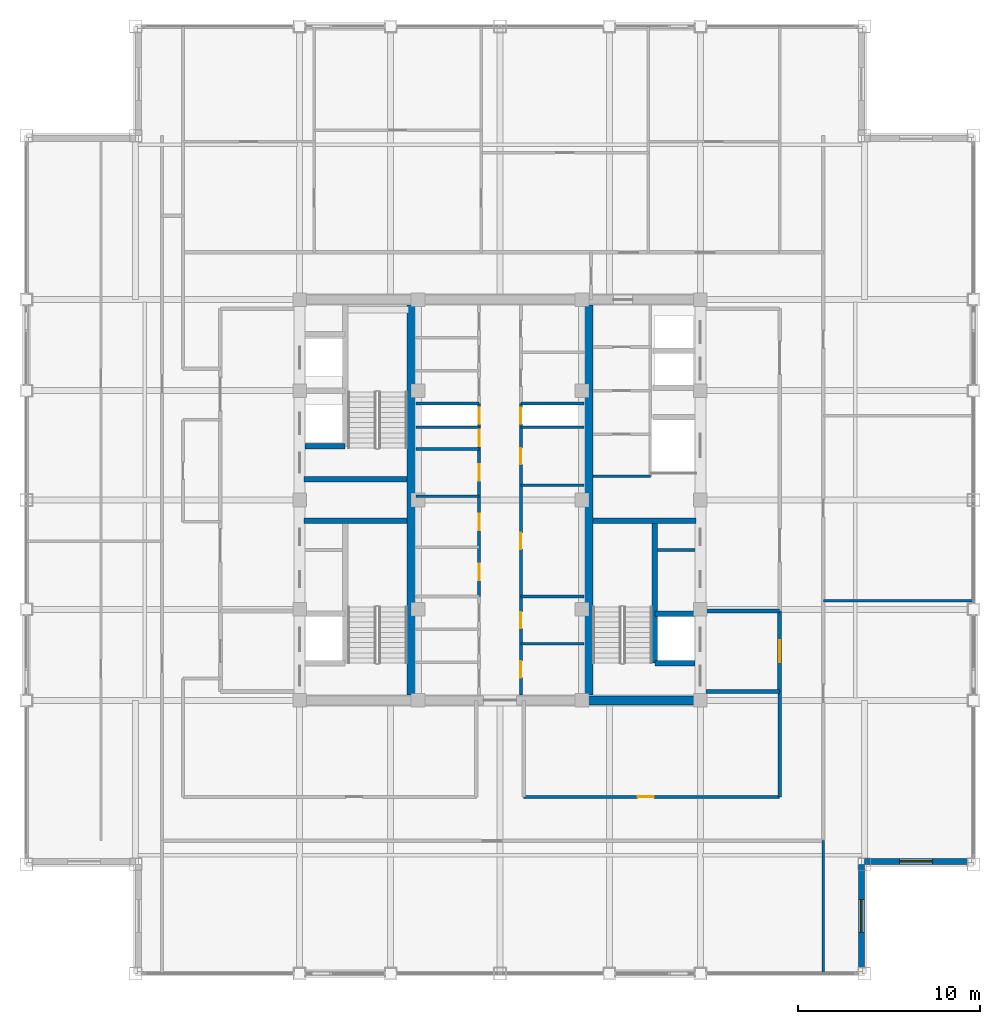
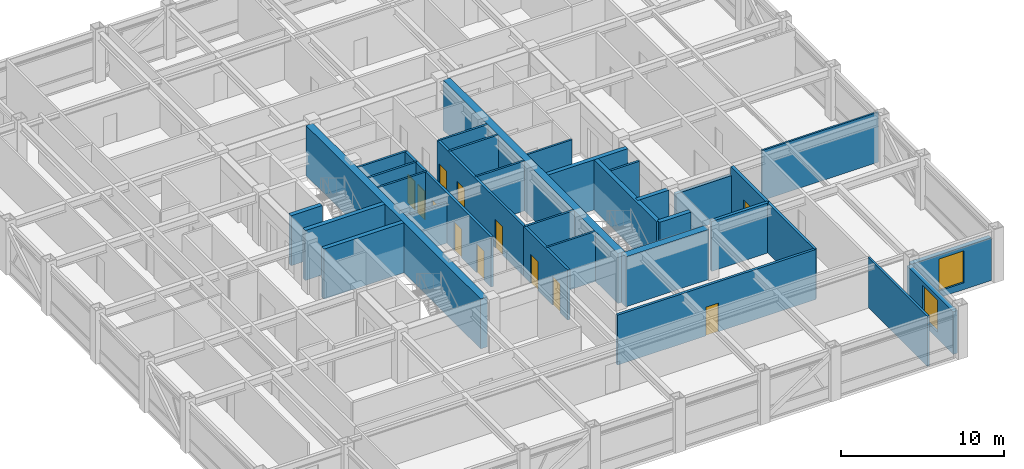
# One storey, part 25 of 29: 33 walls, 12 doors, 2 windows, 14 openings.
"""IFC4 building model written with IfcOpenShell, lengths in metres."""

from ifc_helpers import new_model, si_unit, direction, frame, frame_2d, origin, place, context, subcontext, project, spatial, rectangle, extrude, source, transform, mapped, material, layer, layer_set, type_object, element, fill, save


model = new_model("IFC4")

# Units and contexts
model_context = context("Model", 3, precision=1e-05, world=origin(), true_north=direction((0.0, 1.0)))
body_context = subcontext(model_context, "Body", "Model", "MODEL_VIEW")
ifc_project = project(units=[si_unit("LENGTHUNIT", "METRE"), si_unit("AREAUNIT", "SQUARE_METRE"), si_unit("VOLUMEUNIT", "CUBIC_METRE"), si_unit("PLANEANGLEUNIT", "RADIAN"), si_unit("MASSUNIT", "GRAM", prefix="KILO")], contexts=[model_context])

# Site, building, storey
site_placement = place(None, origin())
site = spatial("IfcSite", under=ifc_project, at=site_placement, CompositionType="ELEMENT")
building_placement = place(site_placement, origin())
building = spatial("IfcBuilding", under=site, at=building_placement, Name="Khorayat Bourse Tower", CompositionType="ELEMENT")
storey_placement = place(building_placement, frame((0.0, 0.0, 366.300048828125)))
storey = spatial("IfcBuildingStorey", under=building, at=storey_placement, Name="L87", CompositionType="ELEMENT", Elevation=366.300048828125)

# Walls
ifc_material_1 = material(Name="Concrete C52/65", Category="concrete")
ifc_layer_1 = layer(ifc_material_1, 0.5)
ifc_layer_set_1 = layer_set([ifc_layer_1], Name="Concrete C52/65")
wall_type_1 = type_object("IfcWallType", Name="WAL-CORE-500", PredefinedType="SHEAR", material=ifc_layer_set_1)
shared_shape_1 = source(origin(), body_context, "Body", "SweptSolid", [
    extrude(rectangle(XDim=21.39990234375, YDim=0.5, at=frame_2d((10.699951171875, 0.0))), origin(), (0.0, 0.0, 1.0), 3.739990234375),
])
for number, where, z_axis, x_axis, name in (
    (1, (-4.85009765625, -10.699951171875, 0.0), (0.0, 0.0, 1.0), (0.0, 1.0, 0.0), "L87 Core Shear Wall PIER-W"),
    (2, (4.85009765625, -10.699951171875, 0.0), (0.0, 0.0, 1.0), (0.0, 1.0, 0.0), "L87 Core Shear Wall PIER-E"),
):
    element("IfcWall", number, at=place(storey_placement, frame(where, z_axis=z_axis, x_axis=x_axis)), inside=storey, type_object=wall_type_1, Name=name, PredefinedType="SHEAR", context=body_context, shape_type="MappedRepresentation", body=[
        mapped(shared_shape_1, transform((0.0, 0.0, 0.0), scale=1.0)),
    ])
shared_shape_2 = source(origin(), body_context, "Body", "SweptSolid", [
    extrude(rectangle(XDim=5.89990234375, YDim=0.5, at=frame_2d((2.949951171875, 0.0))), origin(), (0.0, 0.0, 1.0), 3.739990234375),
])
wall_1_placement = place(storey_placement, frame((4.85009765625, -11.0, 0.0), z_axis=(0.0, 0.0, 1.0), x_axis=(1.0, 0.0, 0.0)))
element("IfcWall", 3, at=wall_1_placement, inside=storey, type_object=wall_type_1, Name="L87 Core Shear Wall PIER-ES", PredefinedType="SHEAR", context=body_context, shape_type="MappedRepresentation", body=[
    mapped(shared_shape_2, transform((0.0, 0.0, 0.0), scale=1.0)),
])
ifc_material_2 = material(Name="Concrete C50/60", Category="concrete")
ifc_layer_2 = layer(ifc_material_2, 0.300048828125)
ifc_layer_set_2 = layer_set([ifc_layer_2], Name="Concrete C50/60")
wall_type_2 = type_object("IfcWallType", Name="WAL-SHAFT-300", PredefinedType="SHEAR", material=ifc_layer_set_2)
shared_shape_3 = source(origin(), body_context, "Body", "SweptSolid", [
    extrude(rectangle(XDim=5.64990234375, YDim=0.300048828125, at=frame_2d((2.824951171875, 0.0))), origin(), (0.0, 0.0, 1.0), 3.739990234375),
])
for number, where, z_axis, x_axis, name in (
    (4, (-10.75, -1.14990234375, 0.0), (0.0, 0.0, 1.0), (1.0, 0.0, 0.0), "L87 Core Shear Wall ST1-DIV"),
    (5, (-10.75, 1.14990234375, 0.0), (0.0, 0.0, 1.0), (1.0, 0.0, 0.0), "L87 Core Shear Wall ST2-DIV"),
    (6, (5.10009765625, -1.14990234375, 0.0), (0.0, 0.0, 1.0), (1.0, 0.0, 0.0), "L87 Core Shear Wall ST3-DIV"),
):
    element("IfcWall", number, at=place(storey_placement, frame(where, z_axis=z_axis, x_axis=x_axis)), inside=storey, type_object=wall_type_2, Name=name, PredefinedType="SHEAR", context=body_context, shape_type="MappedRepresentation", body=[
        mapped(shared_shape_3, transform((0.0, 0.0, 0.0), scale=1.0)),
    ])

# Wall, opening, window
ifc_material_3 = material(Name="Precast concrete C45/55", Category="concrete")
ifc_layer_3 = layer(ifc_material_3, 0.320068359375)
ifc_layer_set_3 = layer_set([ifc_layer_3], Name="Precast concrete C45/55")
wall_type_3 = type_object("IfcWallType", Name="WAL-EXT-STONE-320", PredefinedType="STANDARD", material=ifc_layer_set_3)
shared_shape_4 = source(origin(), body_context, "Body", "SweptSolid", [
    extrude(rectangle(XDim=5.679931640625, YDim=0.320068359375, at=frame_2d((2.83984375, 0.0))), origin(), (0.0, 0.0, 1.0), 3.19091796875),
])
wall_2_placement = place(storey_placement, frame((19.840087890625, -25.679931640625, 0.0), z_axis=(0.0, 0.0, 1.0), x_axis=(0.0, 1.0, 0.0)))
wall_2 = element("IfcWall", 7, at=wall_2_placement, inside=storey, type_object=wall_type_3, Name="L87 Re-Entrant Notch Limestone Wall SE-V", PredefinedType="STANDARD", context=body_context, shape_type="MappedRepresentation", body=[
    mapped(shared_shape_4, transform((0.0, 0.0, 0.0), scale=1.0)),
])
shared_shape_5 = source(origin(), body_context, "Body", "SweptSolid", [
    extrude(rectangle(XDim=1.800048828125, YDim=2.39990234375, at=frame_2d((0.89990234375, 1.199951171875))), frame((0.0, 0.169921875, 0.0), z_axis=(0.0, -1.0, 0.0), x_axis=(1.0, 0.0, 0.0)), (0.0, 0.0, 1.0), 0.340087890625),
])
opening_1_placement = place(wall_2_placement, frame((1.93994140625, 0.0, 0.5)))
opening_1 = element("IfcOpeningElement", 8, at=opening_1_placement, cuts=wall_2, Name="Opening WN-04", PredefinedType="OPENING", context=body_context, shape_type="MappedRepresentation", body=[
    mapped(shared_shape_5, transform((0.0, 0.0, 0.0), scale=1.0)),
])
ifc_material_4 = material(Name="Low-E acoustic laminated double glazing", Category="glass")
window_type = type_object("IfcWindowType", Name="WIN-NOTCH-1800x2400", PartitioningType="SINGLE_PANEL", PredefinedType="WINDOW", material=ifc_material_4)
shared_shape_6 = source(origin(), body_context, "Body", "SweptSolid", [
    extrude(rectangle(XDim=1.800048828125, YDim=2.39990234375, at=frame_2d((0.89990234375, 1.199951171875))), frame((0.0, 0.030029296875, 0.0), z_axis=(0.0, -1.0, 0.0), x_axis=(1.0, 0.0, 0.0)), (0.0, 0.0, 1.0), 0.06005859375),
])
window_1_placement = place(opening_1_placement, origin())
window_1 = element("IfcWindow", 9, at=window_1_placement, inside=storey, type_object=window_type, Name="L87 Facade Window 1", OverallHeight=2.39990234375, OverallWidth=1.800048828125, PartitioningType="SINGLE_PANEL", PredefinedType="WINDOW", context=body_context, shape_type="MappedRepresentation", body=[
    mapped(shared_shape_6, transform((0.0, 0.0, 0.0), scale=1.0)),
])
fill(opening_1, window_1)

wall_3_placement = place(storey_placement, frame((20.0, -19.840087890625, 0.0), z_axis=(0.0, 0.0, 1.0), x_axis=(1.0, 0.0, 0.0)))
wall_3 = element("IfcWall", 10, at=wall_3_placement, inside=storey, type_object=wall_type_3, Name="L87 Re-Entrant Notch Limestone Wall SE-H", PredefinedType="STANDARD", context=body_context, shape_type="MappedRepresentation", body=[
    mapped(shared_shape_4, transform((0.0, 0.0, 0.0), scale=1.0)),
])
opening_2_placement = place(wall_3_placement, frame((1.93994140625, 0.0, 0.5)))
opening_2 = element("IfcOpeningElement", 11, at=opening_2_placement, cuts=wall_3, Name="Opening WN-04", PredefinedType="OPENING", context=body_context, shape_type="MappedRepresentation", body=[
    mapped(shared_shape_5, transform((0.0, 0.0, 0.0), scale=1.0)),
])
window_2_placement = place(opening_2_placement, origin())
window_2 = element("IfcWindow", 12, at=window_2_placement, inside=storey, type_object=window_type, Name="L87 Facade Window 1", OverallHeight=2.39990234375, OverallWidth=1.800048828125, PartitioningType="SINGLE_PANEL", PredefinedType="WINDOW", context=body_context, shape_type="MappedRepresentation", body=[
    mapped(shared_shape_6, transform((0.0, 0.0, 0.0), scale=1.0)),
])
fill(opening_2, window_2)

# Walls
shared_shape_7 = source(origin(), body_context, "Body", "SweptSolid", [
    extrude(rectangle(XDim=7.800048828125, YDim=0.300048828125, at=frame_2d((3.89990234375, 0.0))), origin(), (0.0, 0.0, 1.0), 3.739990234375),
])
wall_4_placement = place(storey_placement, frame((8.5, -8.949951171875, 0.0), z_axis=(0.0, 0.0, 1.0), x_axis=(0.0, 1.0, 0.0)))
element("IfcWall", 13, at=wall_4_placement, inside=storey, type_object=wall_type_2, Name="L87 Partition WAL-L87-EPIER-SP", PredefinedType="SHEAR", context=body_context, shape_type="MappedRepresentation", body=[
    mapped(shared_shape_7, transform((0.0, 0.0, 0.0), scale=1.0)),
])
shared_shape_8 = source(origin(), body_context, "Body", "SweptSolid", [
    extrude(rectangle(XDim=2.199951171875, YDim=0.300048828125, at=frame_2d((1.10009765625, 0.0))), origin(), (0.0, 0.0, 1.0), 3.739990234375),
])
for number, where, z_axis, x_axis, name in (
    (14, (-10.699951171875, 2.949951171875, 0.0), (0.0, 0.0, 1.0), (1.0, 0.0, 0.0), "L87 Partition WAL-L87-WPIER-H1S"),
    (15, (8.5, -8.949951171875, 0.0), (0.0, 0.0, 1.0), (1.0, 0.0, 0.0), "L87 Partition WAL-L87-EPIER-FF2S"),
    (16, (8.5, -6.25, 0.0), (0.0, 0.0, 1.0), (1.0, 0.0, 0.0), "L87 Partition WAL-L87-EPIER-FF2N"),
):
    element("IfcWall", number, at=place(storey_placement, frame(where, z_axis=z_axis, x_axis=x_axis)), inside=storey, type_object=wall_type_2, Name=name, PredefinedType="SHEAR", context=body_context, shape_type="MappedRepresentation", body=[
        mapped(shared_shape_8, transform((0.0, 0.0, 0.0), scale=1.0)),
    ])
ifc_material_5 = material(Name="Gypsum plasterboard twin-frame partition")
ifc_layer_4 = layer(ifc_material_5, 0.14990234375)
ifc_layer_set_4 = layer_set([ifc_layer_4], Name="Gypsum plasterboard twin-frame partition")
wall_type_4 = type_object("IfcWallType", Name="WAL-PART-SUITE-150", PredefinedType="PARTITIONING", material=ifc_layer_set_4)
shared_shape_9 = source(origin(), body_context, "Body", "SweptSolid", [
    extrude(rectangle(XDim=2.050048828125, YDim=0.14990234375, at=frame_2d((1.02490234375, 0.0))), origin(), (0.0, 0.0, 1.0), 3.739990234375),
])
wall_5_placement = place(storey_placement, frame((8.64990234375, -2.75, 0.0), z_axis=(0.0, 0.0, 1.0), x_axis=(1.0, 0.0, 0.0)))
element("IfcWall", 17, at=wall_5_placement, inside=storey, type_object=wall_type_4, Name="L87 Partition WAL-L87-ESRV-D1", PredefinedType="PARTITIONING", context=body_context, shape_type="MappedRepresentation", body=[
    mapped(shared_shape_9, transform((0.0, 0.0, 0.0), scale=1.0)),
])
ifc_material_6 = material(Name="Moisture-resistant masonry partition", Category="masonry")
ifc_layer_5 = layer(ifc_material_6, 0.139892578125)
ifc_layer_set_5 = layer_set([ifc_layer_5], Name="Moisture-resistant masonry partition")
wall_type_5 = type_object("IfcWallType", Name="WAL-PART-WET-140", PredefinedType="PARTITIONING", material=ifc_layer_set_5)
shared_shape_10 = source(origin(), body_context, "Body", "SweptSolid", [
    extrude(rectangle(XDim=3.14990234375, YDim=0.139892578125, at=frame_2d((1.574951171875, 0.0))), origin(), (0.0, 0.0, 1.0), 3.739990234375),
])
wall_6_placement = place(storey_placement, frame((5.10009765625, 1.300048828125, 0.0), z_axis=(0.0, 0.0, 1.0), x_axis=(1.0, 0.0, 0.0)))
element("IfcWall", 18, at=wall_6_placement, inside=storey, type_object=wall_type_5, Name="L87 Partition WAL-L87-ECORE-S", PredefinedType="PARTITIONING", context=body_context, shape_type="MappedRepresentation", body=[
    mapped(shared_shape_10, transform((0.0, 0.0, 0.0), scale=1.0)),
])
ifc_material_7 = material(Name="Aerated concrete blockwork", Category="masonry")
ifc_layer_6 = layer(ifc_material_7, 0.219970703125)
ifc_layer_set_6 = layer_set([ifc_layer_6], Name="Aerated concrete blockwork")
wall_type_6 = type_object("IfcWallType", Name="WAL-PART-FF-220", PredefinedType="PARTITIONING", material=ifc_layer_set_6)
shared_shape_11 = source(origin(), body_context, "Body", "SweptSolid", [
    extrude(rectangle(XDim=4.050048828125, YDim=0.219970703125, at=frame_2d((2.02490234375, 0.0))), origin(), (0.0, 0.0, 1.0), 3.739990234375),
])
wall_7_placement = place(storey_placement, frame((11.300048828125, -10.5, 0.0), z_axis=(0.0, 0.0, 1.0), x_axis=(1.0, 0.0, 0.0)))
element("IfcWall", 19, at=wall_7_placement, inside=storey, type_object=wall_type_6, Name="L87 Partition WAL-L87-FFLE-S", PredefinedType="PARTITIONING", context=body_context, shape_type="MappedRepresentation", body=[
    mapped(shared_shape_11, transform((0.0, 0.0, 0.0), scale=1.0)),
])
shared_shape_12 = source(origin(), body_context, "Body", "SweptSolid", [
    extrude(rectangle(XDim=4.050048828125, YDim=0.219970703125, at=frame_2d((2.02490234375, 0.0))), origin(), (0.0, 0.0, 1.0), 3.1240234375),
])
wall_8_placement = place(storey_placement, frame((11.300048828125, -6.10009765625, 0.0), z_axis=(0.0, 0.0, 1.0), x_axis=(1.0, 0.0, 0.0)))
element("IfcWall", 20, at=wall_8_placement, inside=storey, type_object=wall_type_6, Name="L87 Partition WAL-L87-FFLE-N", PredefinedType="PARTITIONING", context=body_context, shape_type="MappedRepresentation", body=[
    mapped(shared_shape_12, transform((0.0, 0.0, 0.0), scale=1.0)),
])

# Wall, opening, door
shared_shape_13 = source(origin(), body_context, "Body", "SweptSolid", [
    extrude(rectangle(XDim=4.39990234375, YDim=0.219970703125, at=frame_2d((2.199951171875, 0.0))), origin(), (0.0, 0.0, 1.0), 3.739990234375),
])
wall_9_placement = place(storey_placement, frame((15.35009765625, -10.5, 0.0), z_axis=(0.0, 0.0, 1.0), x_axis=(0.0, 1.0, 0.0)))
wall_9 = element("IfcWall", 21, at=wall_9_placement, inside=storey, type_object=wall_type_6, Name="L87 Partition WAL-L87-FFLE-E", PredefinedType="PARTITIONING", context=body_context, shape_type="MappedRepresentation", body=[
    mapped(shared_shape_13, transform((0.0, 0.0, 0.0), scale=1.0)),
])
shared_shape_14 = source(origin(), body_context, "Body", "SweptSolid", [
    extrude(rectangle(XDim=1.199951171875, YDim=2.199951171875, at=frame_2d((0.60009765625, 1.10009765625))), frame((0.0, 0.119873046875, 0.0), z_axis=(0.0, -1.0, 0.0), x_axis=(1.0, 0.0, 0.0)), (0.0, 0.0, 1.0), 0.239990234375),
])
opening_3_placement = place(wall_9_placement, frame((1.60009765625, 0.0, 0.0)))
opening_3 = element("IfcOpeningElement", 22, at=opening_3_placement, cuts=wall_9, Name="Opening DI-02", PredefinedType="OPENING", context=body_context, shape_type="MappedRepresentation", body=[
    mapped(shared_shape_14, transform((0.0, 0.0, 0.0), scale=1.0)),
])
ifc_material_8 = material(Name="Fire-rated steel double-seal leaf", Category="steel")
door_type_1 = type_object("IfcDoorType", Name="DR-INT-FFLOBBY-1200", OperationType="NOTDEFINED", PredefinedType="DOOR", material=ifc_material_8)
shared_shape_15 = source(origin(), body_context, "Body", "SweptSolid", [
    extrude(rectangle(XDim=1.199951171875, YDim=2.199951171875, at=frame_2d((0.60009765625, 1.10009765625))), frame((0.0, 0.02490234375, 0.0), z_axis=(0.0, -1.0, 0.0), x_axis=(1.0, 0.0, 0.0)), (0.0, 0.0, 1.0), 0.050048828125),
])
door_1_placement = place(opening_3_placement, origin())
door_1 = element("IfcDoor", 23, at=door_1_placement, inside=storey, type_object=door_type_1, Name="L87 East Firefighting Lobby Door", OperationType="SINGLE_SWING_RIGHT", OverallHeight=2.199951171875, OverallWidth=1.199951171875, PredefinedType="DOOR", context=body_context, shape_type="MappedRepresentation", body=[
    mapped(shared_shape_15, transform((0.0, 0.0, 0.0), scale=1.0)),
])
fill(opening_3, door_1)

# Walls
shared_shape_16 = source(origin(), body_context, "Body", "SweptSolid", [
    extrude(rectangle(XDim=3.4501953125, YDim=0.14990234375, at=frame_2d((1.72509765625, 0.0))), origin(), (0.0, 0.0, 1.0), 3.739990234375),
])
for number, where, z_axis, x_axis, name in (
    (24, (-4.60009765625, 4.0, 0.0), (0.0, 0.0, 1.0), (1.0, 0.0, 0.0), "L87 Partition WAL-L87-CRSW-S"),
    (25, (1.14990234375, 4.0, 0.0), (0.0, 0.0, 1.0), (1.0, 0.0, 0.0), "L87 Partition WAL-L87-CRSE-S"),
    (26, (1.14990234375, -5.300048828125, 0.0), (0.0, 0.0, 1.0), (1.0, 0.0, 0.0), "L87 Partition WAL-L87-FB1-NE"),
    (27, (-4.60009765625, 5.300048828125, 0.0), (0.0, 0.0, 1.0), (1.0, 0.0, 0.0), "L87 Partition WAL-L87-FB2-SW"),
    (28, (1.14990234375, 5.300048828125, 0.0), (0.0, 0.0, 1.0), (1.0, 0.0, 0.0), "L87 Partition WAL-L87-FB2-SE"),
):
    element("IfcWall", number, at=place(storey_placement, frame(where, z_axis=z_axis, x_axis=x_axis)), inside=storey, type_object=wall_type_4, Name=name, PredefinedType="PARTITIONING", context=body_context, shape_type="MappedRepresentation", body=[
        mapped(shared_shape_16, transform((0.0, 0.0, 0.0), scale=1.0)),
    ])
shared_shape_17 = source(origin(), body_context, "Body", "SweptSolid", [
    extrude(rectangle(XDim=3.4501953125, YDim=0.139892578125, at=frame_2d((1.72509765625, 0.0))), origin(), (0.0, 0.0, 1.0), 3.739990234375),
])
for number, where, z_axis, x_axis, name in (
    (29, (1.14990234375, -7.89990234375, 0.0), (0.0, 0.0, 1.0), (1.0, 0.0, 0.0), "L87 Partition WAL-L87-FB1E-D1"),
    (30, (-4.60009765625, 2.800048828125, 0.0), (0.0, 0.0, 1.0), (1.0, 0.0, 0.0), "L87 Partition WAL-L87-CMW-D3"),
    (31, (1.14990234375, 0.800048828125, 0.0), (0.0, 0.0, 1.0), (1.0, 0.0, 0.0), "L87 Partition WAL-L87-CME-D1"),
):
    element("IfcWall", number, at=place(storey_placement, frame(where, z_axis=z_axis, x_axis=x_axis)), inside=storey, type_object=wall_type_5, Name=name, PredefinedType="PARTITIONING", context=body_context, shape_type="MappedRepresentation", body=[
        mapped(shared_shape_17, transform((0.0, 0.0, 0.0), scale=1.0)),
    ])

# Wall, openings, doors
ifc_material_9 = material(Name="Gypsum plasterboard acoustic stud wall")
ifc_layer_7 = layer(ifc_material_9, 0.179931640625)
ifc_layer_set_7 = layer_set([ifc_layer_7], Name="Gypsum plasterboard acoustic stud wall")
wall_type_7 = type_object("IfcWallType", Name="WAL-PART-CORR-180", PredefinedType="PARTITIONING", material=ifc_layer_set_7)
shared_shape_18 = source(origin(), body_context, "Body", "SweptSolid", [
    extrude(rectangle(XDim=5.39990234375, YDim=0.179931640625, at=frame_2d((2.699951171875, 0.0))), origin(), (0.0, 0.0, 1.0), 3.739990234375),
])
wall_10_placement = place(storey_placement, frame((1.14990234375, -10.699951171875, 0.0), z_axis=(0.0, 0.0, 1.0), x_axis=(0.0, 1.0, 0.0)))
wall_10 = element("IfcWall", 32, at=wall_10_placement, inside=storey, type_object=wall_type_7, Name="L87 Partition WAL-L87-FB1E-L", PredefinedType="PARTITIONING", context=body_context, shape_type="MappedRepresentation", body=[
    mapped(shared_shape_18, transform((0.0, 0.0, 0.0), scale=1.0)),
])
shared_shape_19 = source(origin(), body_context, "Body", "SweptSolid", [
    extrude(rectangle(XDim=0.89990234375, YDim=2.14990234375, at=frame_2d((0.449951171875, 1.074951171875))), frame((0.0, 0.099853515625, 0.0), z_axis=(0.0, -1.0, 0.0), x_axis=(1.0, 0.0, 0.0)), (0.0, 0.0, 1.0), 0.199951171875),
])
opening_4_placement = place(wall_10_placement, frame((0.949951171875, 0.0, 0.0)))
opening_4 = element("IfcOpeningElement", 33, at=opening_4_placement, cuts=wall_10, Name="Opening DI-06", PredefinedType="OPENING", context=body_context, shape_type="MappedRepresentation", body=[
    mapped(shared_shape_19, transform((0.0, 0.0, 0.0), scale=1.0)),
])
opening_5_placement = place(wall_10_placement, frame((3.64990234375, 0.0, 0.0)))
opening_5 = element("IfcOpeningElement", 34, at=opening_5_placement, cuts=wall_10, Name="Opening DI-06", PredefinedType="OPENING", context=body_context, shape_type="MappedRepresentation", body=[
    mapped(shared_shape_19, transform((0.0, 0.0, 0.0), scale=1.0)),
])
ifc_material_10 = material(Name="Moisture-resistant laminate washroom door")
door_type_2 = type_object("IfcDoorType", Name="DR-INT-WC-900", OperationType="NOTDEFINED", PredefinedType="DOOR", material=ifc_material_10)
shared_shape_20 = source(origin(), body_context, "Body", "SweptSolid", [
    extrude(rectangle(XDim=0.89990234375, YDim=2.14990234375, at=frame_2d((0.449951171875, 1.074951171875))), frame((0.0, 0.02490234375, 0.0), z_axis=(0.0, -1.0, 0.0), x_axis=(1.0, 0.0, 0.0)), (0.0, 0.0, 1.0), 0.050048828125),
])
door_2_placement = place(opening_4_placement, origin())
door_2 = element("IfcDoor", 35, at=door_2_placement, inside=storey, type_object=door_type_2, Name="L87 UPS Switch Plant Room Door", OperationType="SINGLE_SWING_RIGHT", OverallHeight=2.14990234375, OverallWidth=0.89990234375, PredefinedType="DOOR", context=body_context, shape_type="MappedRepresentation", body=[
    mapped(shared_shape_20, transform((0.0, 0.0, 0.0), scale=1.0)),
])
fill(opening_4, door_2)
door_3_placement = place(opening_5_placement, origin())
door_3 = element("IfcDoor", 36, at=door_3_placement, inside=storey, type_object=door_type_2, Name="L87 Reprographics Store Door", OperationType="SINGLE_SWING_LEFT", OverallHeight=2.14990234375, OverallWidth=0.89990234375, PredefinedType="DOOR", context=body_context, shape_type="MappedRepresentation", body=[
    mapped(shared_shape_20, transform((0.0, 0.0, 0.0), scale=1.0)),
])
fill(opening_5, door_3)

shared_shape_21 = source(origin(), body_context, "Body", "SweptSolid", [
    extrude(rectangle(XDim=10.60009765625, YDim=0.179931640625, at=frame_2d((5.300048828125, 0.0))), origin(), (0.0, 0.0, 1.0), 3.739990234375),
])
wall_11_placement = place(storey_placement, frame((-1.14990234375, -5.300048828125, 0.0), z_axis=(0.0, 0.0, 1.0), x_axis=(0.0, 1.0, 0.0)))
wall_11 = element("IfcWall", 37, at=wall_11_placement, inside=storey, type_object=wall_type_7, Name="L87 Partition WAL-L87-CMW-L", PredefinedType="PARTITIONING", context=body_context, shape_type="MappedRepresentation", body=[
    mapped(shared_shape_21, transform((0.0, 0.0, 0.0), scale=1.0)),
])
opening_6_placement = place(wall_11_placement, frame((0.89990234375, 0.0, 0.0)))
opening_6 = element("IfcOpeningElement", 38, at=opening_6_placement, cuts=wall_11, Name="Opening DI-06", PredefinedType="OPENING", context=body_context, shape_type="MappedRepresentation", body=[
    mapped(shared_shape_19, transform((0.0, 0.0, 0.0), scale=1.0)),
])
opening_7_placement = place(wall_11_placement, frame((3.64990234375, 0.0, 0.0)))
opening_7 = element("IfcOpeningElement", 39, at=opening_7_placement, cuts=wall_11, Name="Opening DI-06", PredefinedType="OPENING", context=body_context, shape_type="MappedRepresentation", body=[
    mapped(shared_shape_19, transform((0.0, 0.0, 0.0), scale=1.0)),
])
opening_8_placement = place(wall_11_placement, frame((6.35009765625, 0.0, 0.0)))
opening_8 = element("IfcOpeningElement", 40, at=opening_8_placement, cuts=wall_11, Name="Opening DI-06", PredefinedType="OPENING", context=body_context, shape_type="MappedRepresentation", body=[
    mapped(shared_shape_19, transform((0.0, 0.0, 0.0), scale=1.0)),
])
opening_9_placement = place(wall_11_placement, frame((8.25, 0.0, 0.0)))
opening_9 = element("IfcOpeningElement", 41, at=opening_9_placement, cuts=wall_11, Name="Opening DI-06", PredefinedType="OPENING", context=body_context, shape_type="MappedRepresentation", body=[
    mapped(shared_shape_19, transform((0.0, 0.0, 0.0), scale=1.0)),
])
opening_10_placement = place(wall_11_placement, frame((9.47509765625, 0.0, 0.0)))
opening_10 = element("IfcOpeningElement", 42, at=opening_10_placement, cuts=wall_11, Name="Opening DI-06", PredefinedType="OPENING", context=body_context, shape_type="MappedRepresentation", body=[
    mapped(shared_shape_19, transform((0.0, 0.0, 0.0), scale=1.0)),
])
door_4_placement = place(opening_6_placement, origin())
door_4 = element("IfcDoor", 43, at=door_4_placement, inside=storey, type_object=door_type_2, Name="L87 Cleaners Store Door", OperationType="SINGLE_SWING_RIGHT", OverallHeight=2.14990234375, OverallWidth=0.89990234375, PredefinedType="DOOR", context=body_context, shape_type="MappedRepresentation", body=[
    mapped(shared_shape_20, transform((0.0, 0.0, 0.0), scale=1.0)),
])
fill(opening_6, door_4)
door_5_placement = place(opening_7_placement, origin())
door_5 = element("IfcDoor", 44, at=door_5_placement, inside=storey, type_object=door_type_2, Name="L87 Male Core Washroom Door", OperationType="SINGLE_SWING_LEFT", OverallHeight=2.14990234375, OverallWidth=0.89990234375, PredefinedType="DOOR", context=body_context, shape_type="MappedRepresentation", body=[
    mapped(shared_shape_20, transform((0.0, 0.0, 0.0), scale=1.0)),
])
fill(opening_7, door_5)
door_6_placement = place(opening_8_placement, origin())
door_6 = element("IfcDoor", 45, at=door_6_placement, inside=storey, type_object=door_type_2, Name="L87 Electrical Closet Door", OperationType="SINGLE_SWING_RIGHT", OverallHeight=2.14990234375, OverallWidth=0.89990234375, PredefinedType="DOOR", context=body_context, shape_type="MappedRepresentation", body=[
    mapped(shared_shape_20, transform((0.0, 0.0, 0.0), scale=1.0)),
])
fill(opening_8, door_6)
door_7_placement = place(opening_9_placement, origin())
door_7 = element("IfcDoor", 46, at=door_7_placement, inside=storey, type_object=door_type_2, Name="L87 Archive Cupboard Door", OperationType="SINGLE_SWING_LEFT", OverallHeight=2.14990234375, OverallWidth=0.89990234375, PredefinedType="DOOR", context=body_context, shape_type="MappedRepresentation", body=[
    mapped(shared_shape_20, transform((0.0, 0.0, 0.0), scale=1.0)),
])
fill(opening_9, door_7)
door_8_placement = place(opening_10_placement, origin())
door_8 = element("IfcDoor", 47, at=door_8_placement, inside=storey, type_object=door_type_2, Name="L87 West Core Riser Door", OperationType="SINGLE_SWING_LEFT", OverallHeight=2.14990234375, OverallWidth=0.89990234375, PredefinedType="DOOR", context=body_context, shape_type="MappedRepresentation", body=[
    mapped(shared_shape_20, transform((0.0, 0.0, 0.0), scale=1.0)),
])
fill(opening_10, door_8)

wall_12_placement = place(storey_placement, frame((1.14990234375, -5.300048828125, 0.0), z_axis=(0.0, 0.0, 1.0), x_axis=(0.0, 1.0, 0.0)))
wall_12 = element("IfcWall", 48, at=wall_12_placement, inside=storey, type_object=wall_type_7, Name="L87 Partition WAL-L87-CME-L", PredefinedType="PARTITIONING", context=body_context, shape_type="MappedRepresentation", body=[
    mapped(shared_shape_21, transform((0.0, 0.0, 0.0), scale=1.0)),
])
opening_11_placement = place(wall_12_placement, frame((2.60009765625, 0.0, 0.0)))
opening_11 = element("IfcOpeningElement", 49, at=opening_11_placement, cuts=wall_12, Name="Opening DI-06", PredefinedType="OPENING", context=body_context, shape_type="MappedRepresentation", body=[
    mapped(shared_shape_19, transform((0.0, 0.0, 0.0), scale=1.0)),
])
opening_12_placement = place(wall_12_placement, frame((7.25, 0.0, 0.0)))
opening_12 = element("IfcOpeningElement", 50, at=opening_12_placement, cuts=wall_12, Name="Opening DI-06", PredefinedType="OPENING", context=body_context, shape_type="MappedRepresentation", body=[
    mapped(shared_shape_19, transform((0.0, 0.0, 0.0), scale=1.0)),
])
opening_13_placement = place(wall_12_placement, frame((9.47509765625, 0.0, 0.0)))
opening_13 = element("IfcOpeningElement", 51, at=opening_13_placement, cuts=wall_12, Name="Opening DI-06", PredefinedType="OPENING", context=body_context, shape_type="MappedRepresentation", body=[
    mapped(shared_shape_19, transform((0.0, 0.0, 0.0), scale=1.0)),
])
door_9_placement = place(opening_11_placement, origin())
door_9 = element("IfcDoor", 52, at=door_9_placement, inside=storey, type_object=door_type_2, Name="L87 Female Core Washroom Door", OperationType="SINGLE_SWING_RIGHT", OverallHeight=2.14990234375, OverallWidth=0.89990234375, PredefinedType="DOOR", context=body_context, shape_type="MappedRepresentation", body=[
    mapped(shared_shape_20, transform((0.0, 0.0, 0.0), scale=1.0)),
])
fill(opening_11, door_9)
door_10_placement = place(opening_12_placement, origin())
door_10 = element("IfcDoor", 53, at=door_10_placement, inside=storey, type_object=door_type_2, Name="L87 Smoke Extract Fan Plant Room Door", OperationType="SINGLE_SWING_LEFT", OverallHeight=2.14990234375, OverallWidth=0.89990234375, PredefinedType="DOOR", context=body_context, shape_type="MappedRepresentation", body=[
    mapped(shared_shape_20, transform((0.0, 0.0, 0.0), scale=1.0)),
])
fill(opening_12, door_10)
door_11_placement = place(opening_13_placement, origin())
door_11 = element("IfcDoor", 54, at=door_11_placement, inside=storey, type_object=door_type_2, Name="L87 East Core Riser Door", OperationType="SINGLE_SWING_RIGHT", OverallHeight=2.14990234375, OverallWidth=0.89990234375, PredefinedType="DOOR", context=body_context, shape_type="MappedRepresentation", body=[
    mapped(shared_shape_20, transform((0.0, 0.0, 0.0), scale=1.0)),
])
fill(opening_13, door_11)

# Wall
shared_shape_22 = source(origin(), body_context, "Body", "SweptSolid", [
    extrude(rectangle(XDim=3.4501953125, YDim=0.139892578125, at=frame_2d((1.72509765625, 0.0))), origin(), (0.0, 0.0, 1.0), 3.044921875),
])
wall_13_placement = place(storey_placement, frame((-4.60009765625, 0.199951171875, 0.0), z_axis=(0.0, 0.0, 1.0), x_axis=(1.0, 0.0, 0.0)))
element("IfcWall", 55, at=wall_13_placement, inside=storey, type_object=wall_type_5, Name="L87 Partition WAL-L87-CMW-D2", PredefinedType="PARTITIONING", context=body_context, shape_type="MappedRepresentation", body=[
    mapped(shared_shape_22, transform((0.0, 0.0, 0.0), scale=1.0)),
])

# Wall, opening, door
shared_shape_23 = source(origin(), body_context, "Body", "SweptSolid", [
    extrude(rectangle(XDim=14.050048828125, YDim=0.179931640625, at=frame_2d((7.02490234375, 0.0))), origin(), (0.0, 0.0, 1.0), 3.739990234375),
])
wall_14_placement = place(storey_placement, frame((1.300048828125, -16.300048828125, 0.0), z_axis=(0.0, 0.0, 1.0), x_axis=(1.0, 0.0, 0.0)))
wall_14 = element("IfcWall", 56, at=wall_14_placement, inside=storey, type_object=wall_type_7, Name="L87 Partition WAL-L87-PKSE-S", PredefinedType="PARTITIONING", context=body_context, shape_type="MappedRepresentation", body=[
    mapped(shared_shape_23, transform((0.0, 0.0, 0.0), scale=1.0)),
])
opening_14_placement = place(wall_14_placement, frame((6.25, 0.0, 0.0)))
opening_14 = element("IfcOpeningElement", 57, at=opening_14_placement, cuts=wall_14, Name="Opening DI-06", PredefinedType="OPENING", context=body_context, shape_type="MappedRepresentation", body=[
    mapped(shared_shape_19, transform((0.0, 0.0, 0.0), scale=1.0)),
])
door_12_placement = place(opening_14_placement, origin())
door_12 = element("IfcDoor", 58, at=door_12_placement, inside=storey, type_object=door_type_2, Name="L87 SE Inboard Study Door", OperationType="SINGLE_SWING_RIGHT", OverallHeight=2.14990234375, OverallWidth=0.89990234375, PredefinedType="DOOR", context=body_context, shape_type="MappedRepresentation", body=[
    mapped(shared_shape_20, transform((0.0, 0.0, 0.0), scale=1.0)),
])
fill(opening_14, door_12)

# Walls
ifc_material_11 = material(Name="Gypsum plasterboard partition")
ifc_layer_8 = layer(ifc_material_11, 0.125)
ifc_layer_set_8 = layer_set([ifc_layer_8], Name="Gypsum plasterboard partition")
wall_type_8 = type_object("IfcWallType", Name="WAL-PART-ROOM-125", PredefinedType="PARTITIONING", material=ifc_layer_set_8)
shared_shape_24 = source(origin(), body_context, "Body", "SweptSolid", [
    extrude(rectangle(XDim=8.25, YDim=0.125, at=frame_2d((4.125, 0.0))), origin(), (0.0, 0.0, 1.0), 3.739990234375),
])
wall_15_placement = place(storey_placement, frame((17.75, -5.535888671875, 0.0), z_axis=(0.0, 0.0, 1.0), x_axis=(1.0, 0.0, 0.0)))
element("IfcWall", 59, at=wall_15_placement, inside=storey, type_object=wall_type_8, Name="L87 Partition WAL-L87-EDV-1", PredefinedType="PARTITIONING", context=body_context, shape_type="MappedRepresentation", body=[
    mapped(shared_shape_24, transform((0.0, 0.0, 0.0), scale=1.0)),
])
shared_shape_25 = source(origin(), body_context, "Body", "SweptSolid", [
    extrude(rectangle(XDim=5.800048828125, YDim=0.179931640625, at=frame_2d((2.89990234375, 0.0))), origin(), (0.0, 0.0, 1.0), 3.739990234375),
])
wall_16_placement = place(storey_placement, frame((15.35009765625, -16.300048828125, 0.0), z_axis=(0.0, 0.0, 1.0), x_axis=(0.0, 1.0, 0.0)))
element("IfcWall", 60, at=wall_16_placement, inside=storey, type_object=wall_type_7, Name="L87 Partition WAL-L87-PKSE-E", PredefinedType="PARTITIONING", context=body_context, shape_type="MappedRepresentation", body=[
    mapped(shared_shape_25, transform((0.0, 0.0, 0.0), scale=1.0)),
])
shared_shape_26 = source(origin(), body_context, "Body", "SweptSolid", [
    extrude(rectangle(XDim=7.300048828125, YDim=0.14990234375, at=frame_2d((3.64990234375, 0.0))), origin(), (0.0, 0.0, 1.0), 3.739990234375),
])
wall_17_placement = place(storey_placement, frame((17.75, -26.0, 0.0), z_axis=(0.0, 0.0, 1.0), x_axis=(0.0, 1.0, 0.0)))
element("IfcWall", 61, at=wall_17_placement, inside=storey, type_object=wall_type_4, Name="L87 Partition WAL-L87-SCE-END", PredefinedType="PARTITIONING", context=body_context, shape_type="MappedRepresentation", body=[
    mapped(shared_shape_26, transform((0.0, 0.0, 0.0), scale=1.0)),
])

save(model, "model.ifc")
